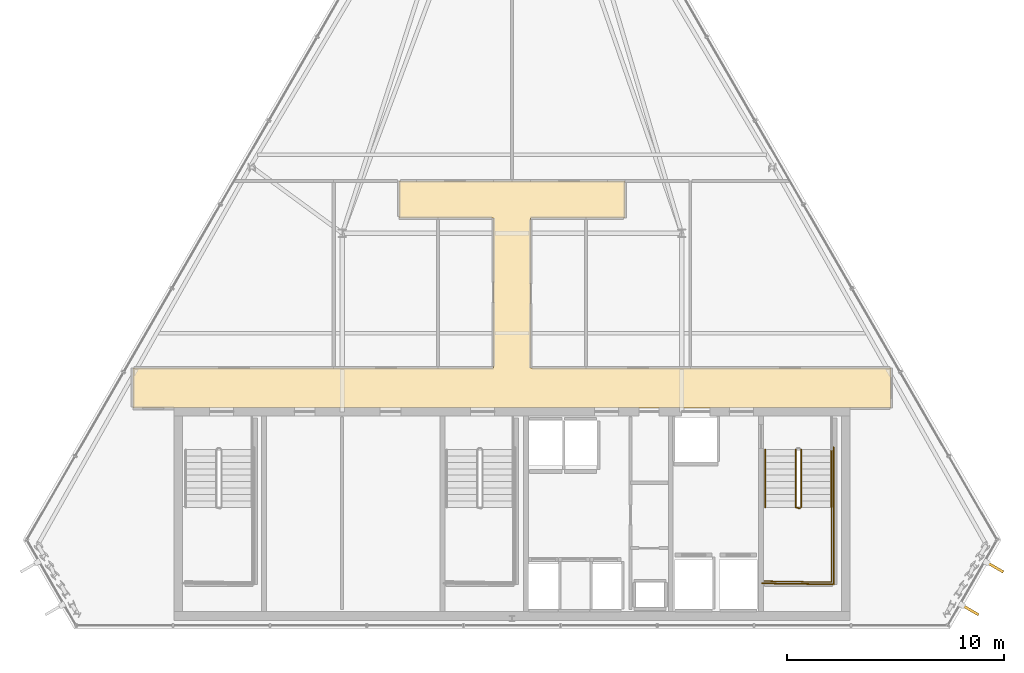
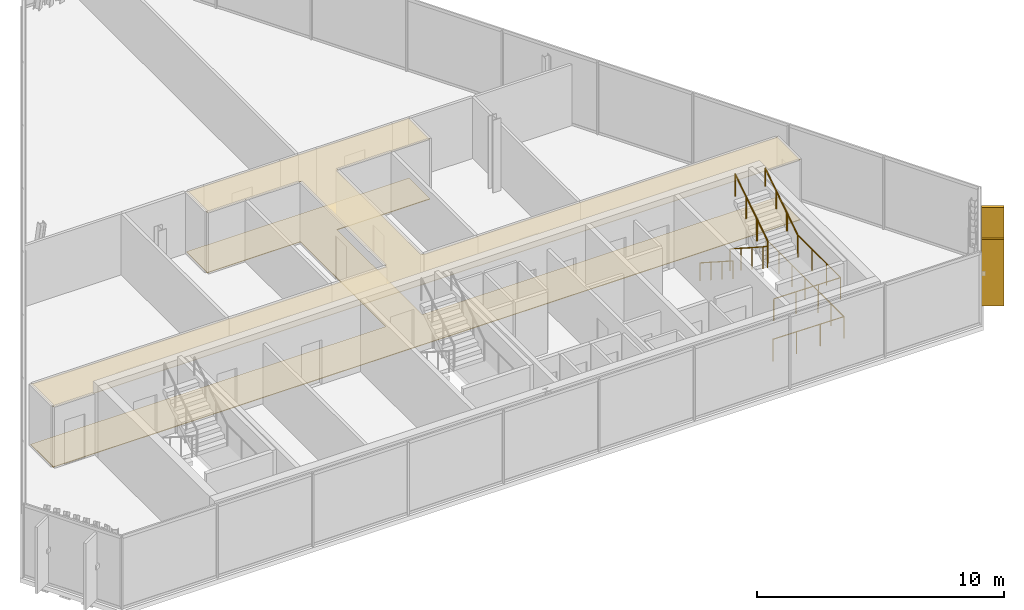
# One storey, part 31 of 32: 6 railings, 2 coverings, 2 shading devices.
"""IFC4 building model written with IfcOpenShell, lengths in metres."""

import ifcopenshell
import ifcopenshell.guid

model = None  # the IFC model being written
_history = None  # IfcOwnerHistory: only IFC2X3 demands one
_inside = {}  # id of a spatial element -> (the spatial element, [elements in it])
_under = {}  # id of a project, library or spatial element -> (it, [spatial elements below it])
_declared = {}  # id of a project -> (the project, [libraries it declares])
_typed = {}  # id of a type object -> (the type object, [elements of that type])
_made_of = {}  # id of a material, layer set ... -> (it, [elements and type objects made of it])


def new_model(schema):
    """Start an empty IFC model of exactly this schema.

    Asked for "IFC4X3", IfcOpenShell would pick the latest addendum, in which some entities
    have other attributes; the version numbers below select the first issue.
    IFC2X3 requires an IfcOwnerHistory on every rooted entity: one is made here for all.
    """
    global model, _history
    if schema == "IFC4X3":
        model = ifcopenshell.file(schema_version=(4, 3, 0, 0))
    else:
        model = ifcopenshell.file(schema=schema)
    _inside.clear()
    _under.clear()
    _declared.clear()
    _typed.clear()
    _made_of.clear()
    _history = None
    if model.schema == "IFC2X3":
        org = make("IfcOrganization", Name="unknown")
        user = make(
            "IfcPersonAndOrganization",
            ThePerson=make("IfcPerson", FamilyName="unknown"),
            TheOrganization=org,
        )
        app = make(
            "IfcApplication",
            ApplicationDeveloper=org,
            Version="unknown",
            ApplicationFullName="unknown",
            ApplicationIdentifier="unknown",
        )
        _history = make(
            "IfcOwnerHistory",
            OwningUser=user,
            OwningApplication=app,
            ChangeAction="ADDED",
            CreationDate=0,
        )
    return model


def make(cls, **values):
    """One entity of the class cls with the attributes given. An attribute that is None is left unset."""
    return model.create_entity(
        cls, **{name: value for name, value in values.items() if value is not None}
    )


def rooted(cls, **values):
    """An entity with a GlobalId (a new one), such as an element, a storey or a relation."""
    return make(cls, GlobalId=ifcopenshell.guid.new(), OwnerHistory=_history, **values)


def si_unit(unit_type, name, prefix=None):
    """IfcSIUnit, for example si_unit("LENGTHUNIT", "METRE", prefix="MILLI")."""
    return make("IfcSIUnit", UnitType=unit_type, Prefix=prefix, Name=name)


def assignment(units):
    """IfcUnitAssignment: the units of a project."""
    return None if units is None else make("IfcUnitAssignment", Units=units)


def point(xyz):
    """IfcCartesianPoint."""
    return None if xyz is None else make("IfcCartesianPoint", Coordinates=xyz)


def direction(xyz):
    """IfcDirection."""
    return None if xyz is None else make("IfcDirection", DirectionRatios=xyz)


def frame(location, z_axis=None, x_axis=None):
    """IfcAxis2Placement3D, a coordinate frame: its origin and axes. An axis left out is left unset."""
    return make(
        "IfcAxis2Placement3D",
        Location=point(location),
        Axis=direction(z_axis),
        RefDirection=direction(x_axis),
    )


def frame_2d(location, x_axis=None):
    """IfcAxis2Placement2D, a coordinate frame in the plane: its origin and x axis."""
    return make(
        "IfcAxis2Placement2D", Location=point(location), RefDirection=direction(x_axis)
    )


def origin():
    """The frame at (0, 0, 0) with its axes left unset."""
    return frame((0.0, 0.0, 0.0))


def origin_2d():
    """The frame at (0, 0) in the plane with its x axis left unset."""
    return frame_2d((0.0, 0.0))


def place(relative_to, where):
    """IfcLocalPlacement: puts the frame where relative to a parent placement (None: the world)."""
    return make(
        "IfcLocalPlacement", PlacementRelTo=relative_to, RelativePlacement=where
    )


def context(
    kind, dimensions, precision=None, world=None, true_north=None, identifier=None
):
    """IfcGeometricRepresentationContext, for example the 3D "Model" context."""
    return make(
        "IfcGeometricRepresentationContext",
        ContextIdentifier=identifier,
        ContextType=kind,
        CoordinateSpaceDimension=dimensions,
        Precision=precision,
        WorldCoordinateSystem=world,
        TrueNorth=true_north,
    )


def subcontext(parent, identifier, kind, view, scale=None):
    """IfcGeometricRepresentationSubContext, for example "Body" below "Model"."""
    return make(
        "IfcGeometricRepresentationSubContext",
        ContextIdentifier=identifier,
        ContextType=kind,
        ParentContext=parent,
        TargetScale=scale,
        TargetView=view,
    )


def project(units=None, contexts=None):
    """IfcProject with its units and contexts."""
    return rooted(
        "IfcProject",
        Name="project",
        RepresentationContexts=contexts,
        UnitsInContext=assignment(units),
    )


def spatial(cls, under=None, at=None, **own):
    """A site, building, storey or space (cls), placed at a placement, below another one or the project."""
    s = rooted(cls, ObjectPlacement=at, **own)
    if under is not None:
        _under.setdefault(under.id(), (under, []))[1].append(s)
    return s


def polyline(points):
    """IfcPolyline through the points."""
    return make("IfcPolyline", Points=[point(p) for p in points])


def profile(cls, at=None, kind="AREA", **sizes):
    """A parametric profile (cls). Its sizes go by their IFC names, for example OverallWidth=200.0."""
    return make(cls, ProfileType=kind, Position=at, **sizes)


def rectangle(**sizes):
    """IfcRectangleProfileDef."""
    return profile("IfcRectangleProfileDef", **sizes)


def circle(**sizes):
    """IfcCircleProfileDef."""
    return profile("IfcCircleProfileDef", **sizes)


def outline(outer, holes=None, kind="AREA"):
    """IfcArbitraryClosedProfileDef: a profile drawn as a closed curve; with holes, ...WithVoids."""
    if holes is None:
        return make("IfcArbitraryClosedProfileDef", ProfileType=kind, OuterCurve=outer)
    return make(
        "IfcArbitraryProfileDefWithVoids",
        ProfileType=kind,
        OuterCurve=outer,
        InnerCurves=holes,
    )


def extrude(swept, where, along, depth):
    """IfcExtrudedAreaSolid: the profile swept, set in the frame where, extruded along a direction by depth."""
    return make(
        "IfcExtrudedAreaSolid",
        SweptArea=swept,
        Position=where,
        ExtrudedDirection=direction(along),
        Depth=depth,
    )


def shape(context_of_items, identifier, shape_type, items):
    """IfcShapeRepresentation: the items that make up one representation, for example the "Body"."""
    return make(
        "IfcShapeRepresentation",
        ContextOfItems=context_of_items,
        RepresentationIdentifier=identifier,
        RepresentationType=shape_type,
        Items=items,
    )


def material(Name=None, Category=None):
    """IfcMaterial."""
    return make("IfcMaterial", Name=Name, Category=Category)


def layer(
    of_material, thickness, ventilated=None, Name=None, Category=None, Priority=None
):
    """IfcMaterialLayer: one layer of a wall or slab, of a material (None: an air gap)."""
    return make(
        "IfcMaterialLayer",
        Material=of_material,
        LayerThickness=thickness,
        IsVentilated=ventilated,
        Name=Name,
        Category=Category,
        Priority=Priority,
    )


def layer_set(layers, Name=None):
    """IfcMaterialLayerSet."""
    return make("IfcMaterialLayerSet", MaterialLayers=layers, LayerSetName=Name)


def made_of(thing, what):
    """Note that an element or type object is made of a material, layer set ...; save() writes the relation."""
    if what is not None:
        _made_of.setdefault(what.id(), (what, []))[1].append(thing)
    return thing


def type_object(cls, material=None, **own):
    """A type object (cls), such as IfcWallType, which elements share."""
    return made_of(rooted(cls, **own), material)


def element(
    cls,
    number,
    at=None,
    inside=None,
    cuts=None,
    type_object=None,
    material=None,
    context=None,
    identifier="Body",
    shape_type=None,
    held_by="IfcProductDefinitionShape",
    body=None,
    shapes=None,
    **own,
):
    """One element of the class cls, such as IfcWall. Its Tag is "e" and its number.

    at: its placement. inside: the storey or other place that contains it. cuts: it is an
    opening in that element (IfcRelVoidsElement). A single representation is given by context,
    identifier, shape_type and body (its items); several are given by shapes. held_by: the class
    of the entity that holds the representations. save() writes the other relations.
    """
    e = rooted(cls, Tag="e%d" % number, ObjectPlacement=at, **own)
    if body is not None:
        shapes = [shape(context, identifier, shape_type, body)]
    if shapes is not None:
        e.Representation = make(held_by, Representations=shapes)
    if inside is not None:
        _inside.setdefault(inside.id(), (inside, []))[1].append(e)
    if cuts is not None:
        rooted(
            "IfcRelVoidsElement", RelatingBuildingElement=cuts, RelatedOpeningElement=e
        )
    if type_object is not None:
        _typed.setdefault(type_object.id(), (type_object, []))[1].append(e)
    return made_of(e, material)


def aggregate(whole, parts):
    """IfcRelAggregates: a whole, such as a stair, and the parts it consists of."""
    return rooted("IfcRelAggregates", RelatingObject=whole, RelatedObjects=parts)


def save(model, path):
    """Write the relations noted so far, then the file.

    IfcRelAggregates (storeys below a building ...), IfcRelContainedInSpatialStructure (elements
    in a storey), IfcRelDefinesByType, IfcRelAssociatesMaterial and IfcRelDeclares: one each for
    every whole, place, type object, material and project.
    """
    for whole, parts in _under.values():
        aggregate(whole, parts)
    for where, things in _inside.values():
        rooted(
            "IfcRelContainedInSpatialStructure",
            RelatedElements=things,
            RelatingStructure=where,
        )
    for kind, things in _typed.values():
        rooted("IfcRelDefinesByType", RelatedObjects=things, RelatingType=kind)
    for what, things in _made_of.values():
        rooted("IfcRelAssociatesMaterial", RelatedObjects=things, RelatingMaterial=what)
    for by, libraries in _declared.values():
        rooted("IfcRelDeclares", RelatingContext=by, RelatedDefinitions=libraries)
    model.write(path)


model = new_model("IFC4")

# Units and contexts
model_context = context("Model", 3, precision=1e-05, world=origin(), true_north=direction((0.0, 1.0)))
body_context = subcontext(model_context, "Body", "Model", "MODEL_VIEW")
ifc_project = project(units=[si_unit("LENGTHUNIT", "METRE"), si_unit("AREAUNIT", "SQUARE_METRE"), si_unit("VOLUMEUNIT", "CUBIC_METRE"), si_unit("PLANEANGLEUNIT", "RADIAN"), si_unit("MASSUNIT", "GRAM", prefix="KILO")], contexts=[model_context])

# Site, building, storey
site_placement = place(None, origin())
site = spatial("IfcSite", under=ifc_project, at=site_placement, CompositionType="ELEMENT")
building_placement = place(site_placement, origin())
building = spatial("IfcBuilding", under=site, at=building_placement, Name="Ndaravel Arena Tower", CompositionType="ELEMENT")
storey_placement = place(building_placement, frame((0.0, 0.0, 290.89990234375)))
storey = spatial("IfcBuildingStorey", under=building, at=storey_placement, Name="L71", CompositionType="ELEMENT", Elevation=290.89990234375)

# Coverings
ifc_material_1 = material(Name="Acoustic Ceiling Tile", Category="finish")
ifc_layer_1 = layer(ifc_material_1, 0.02490234375)
ifc_layer_set_1 = layer_set([ifc_layer_1], Name="Acoustic Ceiling Tile")
covering_type_1 = type_object("IfcCoveringType", Name="COV-CEIL-AC600", PredefinedType="CEILING", material=ifc_layer_set_1)
covering_1_placement = place(storey_placement, frame((0.0, 0.0, 2.980712890625)))
element("IfcCovering", 1, at=covering_1_placement, inside=storey, type_object=covering_type_1, Name="L71 Corridor Acoustic Ceiling", PredefinedType="CEILING", context=body_context, shape_type="SweptSolid", body=[
    extrude(outline(polyline([(59.43408203125, 17.0), (42.85009765625, 17.0), (42.85009765625, 23.89990234375), (47.199951171875, 23.89990234375), (47.199951171875, 25.60009765625), (42.85009765625, 25.60009765625), (41.14990234375, 25.60009765625), (36.800048828125, 25.60009765625), (36.800048828125, 23.89990234375), (41.14990234375, 23.89990234375), (41.14990234375, 17.0), (24.56591796875, 17.0), (24.56591796875, 15.14990234375), (59.43408203125, 15.14990234375), (59.43408203125, 17.0)])), origin(), (0.0, 0.0, 1.0), 0.02490234375),
])
ifc_material_2 = material(Name="Terrazzo", Category="stone")
ifc_layer_2 = layer(ifc_material_2, 0.030029296875)
ifc_layer_set_2 = layer_set([ifc_layer_2], Name="Terrazzo")
covering_type_2 = type_object("IfcCoveringType", Name="COV-FLOOR-TERRAZZO", PredefinedType="FLOORING", material=ifc_layer_set_2)
covering_2_placement = place(storey_placement, origin())
element("IfcCovering", 2, at=covering_2_placement, inside=storey, type_object=covering_type_2, Name="L71 Corridor Terrazzo Flooring", PredefinedType="FLOORING", context=body_context, shape_type="SweptSolid", body=[
    extrude(outline(polyline([(59.43408203125, 17.0), (42.85009765625, 17.0), (42.85009765625, 23.89990234375), (47.199951171875, 23.89990234375), (47.199951171875, 25.60009765625), (42.85009765625, 25.60009765625), (41.14990234375, 25.60009765625), (36.800048828125, 25.60009765625), (36.800048828125, 23.89990234375), (41.14990234375, 23.89990234375), (41.14990234375, 17.0), (24.56591796875, 17.0), (24.56591796875, 15.14990234375), (59.43408203125, 15.14990234375), (59.43408203125, 17.0)])), origin(), (0.0, 0.0, 1.0), 0.030029296875),
])

# Railings
ifc_material_3 = material(Name="Steel S355", Category="steel")
ifc_layer_3 = layer(ifc_material_3, 0.06005859375)
ifc_layer_set_3 = layer_set([ifc_layer_3], Name="Steel S355")
railing_type_1 = type_object("IfcRailingType", Name="RAIL-STAIR-GD1100", PredefinedType="GUARDRAIL", material=ifc_layer_set_3)
railing_1_placement = place(storey_placement, frame((55.050048828125, 13.25, 0.190185546875)))
element("IfcRailing", 3, at=railing_1_placement, inside=storey, type_object=railing_type_1, Name="L71 ST-3 stair guard 1", PredefinedType="GUARDRAIL", context=body_context, shape_type="SweptSolid", body=[
    extrude(circle(Radius=0.02392578125, at=origin_2d()), frame((0.0, 0.0, 1.076171875), z_axis=(0.0, -0.840723540582, 0.54146461409), x_axis=(1.0, 0.0, 0.0)), (0.0, 0.0, 1.0), 3.157958984375),
    extrude(circle(Radius=0.02392578125, at=origin_2d()), frame((0.0, -2.655029296875, 2.7861328125), z_axis=(0.966993988697, -0.254799187253, 0.0), x_axis=(0.254799187253, 0.966993988697, 0.0)), (0.0, 0.0, 1.0), 0.196533203125),
    extrude(circle(Radius=0.02099609375, at=origin_2d()), origin(), (0.0, 0.0, 1.0), 1.052001953125),
    extrude(circle(Radius=0.02099609375, at=origin_2d()), frame((0.0, -0.885009765625, 0.570068359375)), (0.0, 0.0, 1.0), 1.052001953125),
    extrude(circle(Radius=0.02099609375, at=origin_2d()), frame((0.0, -1.77001953125, 1.139892578125)), (0.0, 0.0, 1.0), 1.052001953125),
    extrude(circle(Radius=0.02099609375, at=origin_2d()), frame((0.0, -2.655029296875, 1.7099609375)), (0.0, 0.0, 1.0), 1.052001953125),
    extrude(circle(Radius=0.02099609375, at=origin_2d()), frame((0.18994140625, -2.705078125, 1.7099609375)), (0.0, 0.0, 1.0), 1.052001953125),
])
railing_2_placement = place(storey_placement, frame((56.68994140625, 10.594970703125, 1.900146484375)))
element("IfcRailing", 4, at=railing_2_placement, inside=storey, type_object=railing_type_1, Name="L71 ST-3 stair guard 2", PredefinedType="GUARDRAIL", context=body_context, shape_type="SweptSolid", body=[
    extrude(circle(Radius=0.02392578125, at=origin_2d()), frame((0.0, 0.0, 1.076171875), z_axis=(0.0, -1.0, 0.0), x_axis=(1.0, 0.0, 0.0)), (0.0, 0.0, 1.0), 3.445068359375),
    extrude(circle(Radius=0.02392578125, at=origin_2d()), frame((0.0, -3.445068359375, 1.076171875), z_axis=(-0.999868840623, 0.016195726322, 0.0), x_axis=(-0.016195726322, -0.999868840623, 0.0)), (0.0, 0.0, 1.0), 3.09033203125),
    extrude(circle(Radius=0.02099609375, at=origin_2d()), origin(), (0.0, 0.0, 1.0), 1.052001953125),
    extrude(circle(Radius=0.02099609375, at=origin_2d()), frame((0.0, -1.1484375, 0.0)), (0.0, 0.0, 1.0), 1.052001953125),
    extrude(circle(Radius=0.02099609375, at=origin_2d()), frame((0.0, -2.296630859375, 0.0)), (0.0, 0.0, 1.0), 1.052001953125),
    extrude(circle(Radius=0.02099609375, at=origin_2d()), frame((0.0, -3.445068359375, 0.0)), (0.0, 0.0, 1.0), 1.052001953125),
    extrude(circle(Radius=0.02099609375, at=origin_2d()), frame((-1.030029296875, -3.428466796875, 0.0)), (0.0, 0.0, 1.0), 1.052001953125),
    extrude(circle(Radius=0.02099609375, at=origin_2d()), frame((-2.059814453125, -3.41162109375, 0.0)), (0.0, 0.0, 1.0), 1.052001953125),
    extrude(circle(Radius=0.02099609375, at=origin_2d()), frame((-3.08984375, -3.39501953125, 0.0)), (0.0, 0.0, 1.0), 1.052001953125),
])
railing_3_placement = place(storey_placement, frame((55.2900390625, 10.594970703125, 2.090087890625)))
element("IfcRailing", 5, at=railing_3_placement, inside=storey, type_object=railing_type_1, Name="L71 ST-3 stair guard 3", PredefinedType="GUARDRAIL", context=body_context, shape_type="SweptSolid", body=[
    extrude(circle(Radius=0.02392578125, at=origin_2d()), frame((0.0, 0.0, 1.076171875), z_axis=(0.0, 0.840723540582, 0.54146461409), x_axis=(-1.0, 0.0, 0.0)), (0.0, 0.0, 1.0), 3.157958984375),
    extrude(circle(Radius=0.02099609375, at=origin_2d()), origin(), (0.0, 0.0, 1.0), 1.052001953125),
    extrude(circle(Radius=0.02099609375, at=origin_2d()), frame((0.0, 0.885009765625, 0.570068359375)), (0.0, 0.0, 1.0), 1.052001953125),
    extrude(circle(Radius=0.02099609375, at=origin_2d()), frame((0.0, 1.77001953125, 1.139892578125)), (0.0, 0.0, 1.0), 1.052001953125),
    extrude(circle(Radius=0.02099609375, at=origin_2d()), frame((0.0, 2.655029296875, 1.7099609375)), (0.0, 0.0, 1.0), 1.052001953125),
])
railing_4_placement = place(storey_placement, frame((56.7900390625, 13.35009765625, 0.0)))
element("IfcRailing", 6, at=railing_4_placement, inside=storey, type_object=railing_type_1, Name="L71 ST-3 stair guard 6", PredefinedType="GUARDRAIL", context=body_context, shape_type="SweptSolid", body=[
    extrude(circle(Radius=0.02392578125, at=origin_2d()), frame((0.0, 0.0, 1.076171875), z_axis=(0.0, -1.0, 0.0), x_axis=(1.0, 0.0, 0.0)), (0.0, 0.0, 1.0), 6.300048828125),
    extrude(circle(Radius=0.02392578125, at=origin_2d()), frame((0.0, -6.300048828125, 1.076171875), z_axis=(-0.99988431412, 0.015210469308, 0.0), x_axis=(-0.015210469308, -0.99988431412, 0.0)), (0.0, 0.0, 1.0), 3.29052734375),
    extrude(circle(Radius=0.02099609375, at=origin_2d()), origin(), (0.0, 0.0, 1.0), 1.052001953125),
    extrude(circle(Radius=0.02099609375, at=origin_2d()), frame((0.0, -1.050048828125, 0.0)), (0.0, 0.0, 1.0), 1.052001953125),
    extrude(circle(Radius=0.02099609375, at=origin_2d()), frame((0.0, -2.10009765625, 0.0)), (0.0, 0.0, 1.0), 1.052001953125),
    extrude(circle(Radius=0.02099609375, at=origin_2d()), frame((0.0, -3.14990234375, 0.0)), (0.0, 0.0, 1.0), 1.052001953125),
    extrude(circle(Radius=0.02099609375, at=origin_2d()), frame((0.0, -4.199951171875, 0.0)), (0.0, 0.0, 1.0), 1.052001953125),
    extrude(circle(Radius=0.02099609375, at=origin_2d()), frame((0.0, -5.25, 0.0)), (0.0, 0.0, 1.0), 1.052001953125),
    extrude(circle(Radius=0.02099609375, at=origin_2d()), frame((0.0, -6.300048828125, 0.0)), (0.0, 0.0, 1.0), 1.052001953125),
    extrude(circle(Radius=0.02099609375, at=origin_2d()), frame((-1.0966796875, -6.283447265625, 0.0)), (0.0, 0.0, 1.0), 1.052001953125),
    extrude(circle(Radius=0.02099609375, at=origin_2d()), frame((-2.193359375, -6.2666015625, 0.0)), (0.0, 0.0, 1.0), 1.052001953125),
    extrude(circle(Radius=0.02099609375, at=origin_2d()), frame((-3.2900390625, -6.25, 0.0)), (0.0, 0.0, 1.0), 1.052001953125),
])
ifc_material_4 = material(Name="Steel S355", Category="steel")
ifc_layer_4 = layer(ifc_material_4, 0.050048828125)
ifc_layer_set_4 = layer_set([ifc_layer_4], Name="Steel S355")
railing_type_2 = type_object("IfcRailingType", Name="RAIL-STAIR-HR920", PredefinedType="HANDRAIL", material=ifc_layer_set_4)
railing_5_placement = place(storey_placement, frame((53.64990234375, 13.25, 0.190185546875)))
element("IfcRailing", 7, at=railing_5_placement, inside=storey, type_object=railing_type_2, Name="L71 ST-3 stair handrail 1", PredefinedType="HANDRAIL", context=body_context, shape_type="SweptSolid", body=[
    extrude(circle(Radius=0.02392578125, at=origin_2d()), frame((0.0, 0.0, 0.8759765625), z_axis=(0.0, -0.840723540582, 0.54146461409), x_axis=(1.0, 0.0, 0.0)), (0.0, 0.0, 1.0), 3.157958984375),
    extrude(circle(Radius=0.02099609375, at=origin_2d()), origin(), (0.0, 0.0, 1.0), 0.851806640625),
    extrude(circle(Radius=0.02099609375, at=origin_2d()), frame((0.0, -0.885009765625, 0.570068359375)), (0.0, 0.0, 1.0), 0.851806640625),
    extrude(circle(Radius=0.02099609375, at=origin_2d()), frame((0.0, -1.77001953125, 1.139892578125)), (0.0, 0.0, 1.0), 0.851806640625),
    extrude(circle(Radius=0.02099609375, at=origin_2d()), frame((0.0, -2.655029296875, 1.7099609375)), (0.0, 0.0, 1.0), 0.851806640625),
])
railing_6_placement = place(storey_placement, frame((56.68994140625, 10.594970703125, 2.090087890625)))
element("IfcRailing", 8, at=railing_6_placement, inside=storey, type_object=railing_type_2, Name="L71 ST-3 stair handrail 2", PredefinedType="HANDRAIL", context=body_context, shape_type="SweptSolid", body=[
    extrude(circle(Radius=0.02392578125, at=origin_2d()), frame((0.0, 0.0, 0.8759765625), z_axis=(0.0, 0.840723540582, 0.54146461409), x_axis=(-1.0, 0.0, 0.0)), (0.0, 0.0, 1.0), 3.157958984375),
    extrude(circle(Radius=0.02099609375, at=origin_2d()), origin(), (0.0, 0.0, 1.0), 0.851806640625),
    extrude(circle(Radius=0.02099609375, at=origin_2d()), frame((0.0, 0.885009765625, 0.570068359375)), (0.0, 0.0, 1.0), 0.851806640625),
    extrude(circle(Radius=0.02099609375, at=origin_2d()), frame((0.0, 1.77001953125, 1.139892578125)), (0.0, 0.0, 1.0), 0.851806640625),
    extrude(circle(Radius=0.02099609375, at=origin_2d()), frame((0.0, 2.655029296875, 1.7099609375)), (0.0, 0.0, 1.0), 0.851806640625),
])

# Shading devices
ifc_material_5 = material(Name="Masonry", Category="masonry")
shading_device_type = type_object("IfcShadingDeviceType", Name="SHD-MAZERAS-FIN", PredefinedType="SHUTTER", material=ifc_material_5)
for number, where, z_axis, x_axis, name in (
    (9, (63.065673828125, 5.876953125, 0.14990234375), (0.0, 0.0, 1.0), (0.866025403784, -0.5, 0.0), "L71 Mazeras Stone Solar Fin E2.1"),
    (10, (64.201904296875, 7.844970703125, 0.14990234375), (0.0, 0.0, 1.0), (0.866025403784, -0.5, 0.0), "L71 Mazeras Stone Solar Fin E2.2"),
):
    element("IfcShadingDevice", number, at=place(storey_placement, frame(where, z_axis=z_axis, x_axis=x_axis)), inside=storey, type_object=shading_device_type, Name=name, PredefinedType="SHUTTER", context=body_context, shape_type="SweptSolid", body=[
        extrude(rectangle(XDim=0.89990234375, YDim=0.1201171875, at=origin_2d()), origin(), (0.0, 0.0, 1.0), 3.280029296875),
    ])

save(model, "model.ifc")
